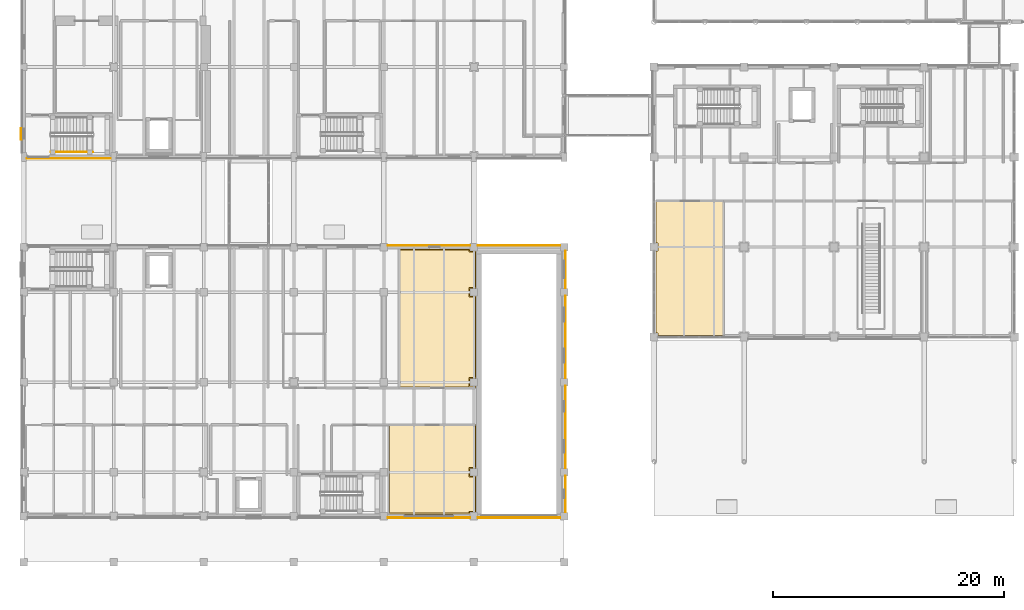
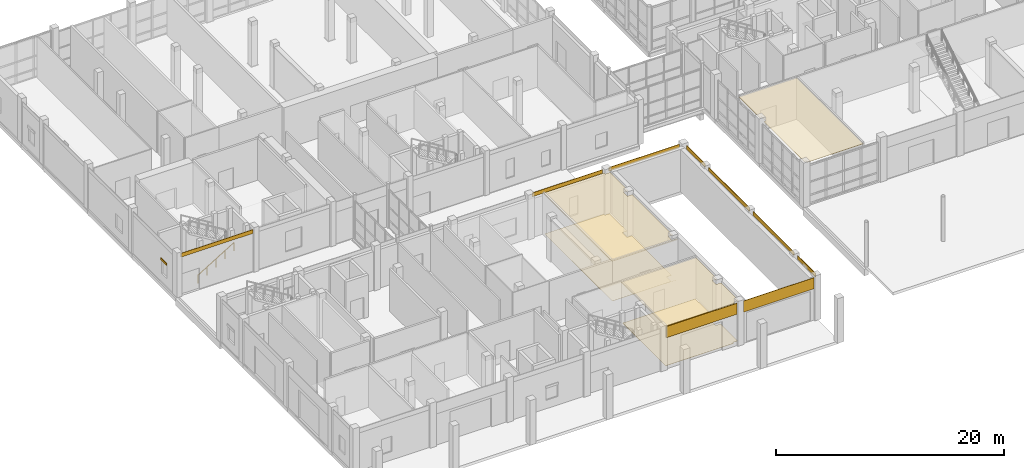
# One storey, part 112 of 131: 14 coverings, 1 railing, 1 shading device.
"""IFC4 building model written with IfcOpenShell, lengths in metres."""

from ifc_helpers import new_model, si_unit, direction, frame, origin, origin_2d, place, context, subcontext, project, spatial, polyline, rectangle, circle, outline, extrude, material, layer, layer_set, type_object, element, save


model = new_model("IFC4")

# Units and contexts
model_context = context("Model", 3, precision=1e-05, world=origin(), true_north=direction((0.0, 1.0)))
body_context = subcontext(model_context, "Body", "Model", "MODEL_VIEW")
ifc_project = project(units=[si_unit("LENGTHUNIT", "METRE"), si_unit("AREAUNIT", "SQUARE_METRE"), si_unit("VOLUMEUNIT", "CUBIC_METRE"), si_unit("PLANEANGLEUNIT", "RADIAN"), si_unit("MASSUNIT", "GRAM", prefix="KILO")], contexts=[model_context])

# Site, building, storey
site_placement = place(None, origin())
site = spatial("IfcSite", under=ifc_project, at=site_placement, CompositionType="ELEMENT")
building_placement = place(site_placement, origin())
building = spatial("IfcBuilding", under=site, at=building_placement, Name="Celorna Specialist Clinic", CompositionType="ELEMENT")
storey_placement = place(building_placement, origin())
storey = spatial("IfcBuildingStorey", under=building, at=storey_placement, Name="L00", CompositionType="ELEMENT", Elevation=0.0)

# Coverings
ifc_material_1 = material(Name="Hygienic acoustic mineral-fibre ceiling")
ifc_layer_1 = layer(ifc_material_1, 0.030029296875, Name="Hygienic acoustic mineral-fibre ceiling")
ifc_layer_set_1 = layer_set([ifc_layer_1], Name="Hygienic acoustic mineral-fibre ceiling")
covering_type_1 = type_object("IfcCoveringType", Name="CE-01", PredefinedType="CEILING", material=ifc_layer_set_1)
covering_1_placement = place(storey_placement, frame((0.0, 0.0, 4.330078125)))
element("IfcCovering", 1, at=covering_1_placement, inside=storey, type_object=covering_type_1, Name="Acoustic ceiling L00-095", PredefinedType="CEILING", context=body_context, shape_type="SweptSolid", body=[
    extrude(outline(polyline([(39.1650390625, 11.9150390625), (39.1650390625, 8.1298828125), (38.669921875, 8.1298828125), (38.669921875, 7.469970703125), (39.1650390625, 7.469970703125), (39.1650390625, 4.330078125), (38.669921875, 4.330078125), (38.669921875, 4.155029296875), (31.60498046875, 4.155029296875), (31.60498046875, 11.9150390625), (39.1650390625, 11.9150390625)])), origin(), (0.0, 0.0, 1.0), 0.030029296875),
])
covering_2_placement = place(storey_placement, frame((0.0, 0.0, 4.330078125)))
element("IfcCovering", 2, at=covering_2_placement, inside=storey, type_object=covering_type_1, Name="Acoustic ceiling L00-099", PredefinedType="CEILING", context=body_context, shape_type="SweptSolid", body=[
    extrude(outline(polyline([(38.669921875, 27.14501953125), (38.669921875, 26.969970703125), (39.1650390625, 26.969970703125), (39.1650390625, 23.72998046875), (38.669921875, 23.72998046875), (38.669921875, 23.070068359375), (39.1650390625, 23.070068359375), (39.1650390625, 15.929931640625), (38.669921875, 15.929931640625), (38.669921875, 15.27001953125), (39.1650390625, 15.27001953125), (39.1650390625, 15.0849609375), (32.5048828125, 15.0849609375), (32.5048828125, 27.14501953125), (38.669921875, 27.14501953125)])), origin(), (0.0, 0.0, 1.0), 0.030029296875),
])
covering_3_placement = place(storey_placement, frame((0.0, 0.0, 4.330078125)))
element("IfcCovering", 3, at=covering_3_placement, inside=storey, type_object=covering_type_1, Name="Acoustic ceiling L00-102", PredefinedType="CEILING", context=body_context, shape_type="SweptSolid", body=[
    extrude(outline(polyline([(54.7548828125, 31.31494140625), (60.635009765625, 31.31494140625), (60.635009765625, 19.655029296875), (54.955078125, 19.655029296875), (54.955078125, 19.85498046875), (54.7548828125, 19.85498046875), (54.7548828125, 26.945068359375), (54.955078125, 26.945068359375), (54.955078125, 27.655029296875), (54.7548828125, 27.655029296875), (54.7548828125, 31.31494140625)])), origin(), (0.0, 0.0, 1.0), 0.030029296875),
])
ifc_material_2 = material(Name="Pero Pinheiro Lioz limestone rainscreen cladding", Category="masonry")
ifc_layer_2 = layer(ifc_material_2, 0.044921875, Name="Pero Pinheiro Lioz limestone rainscreen cladding")
ifc_layer_set_2 = layer_set([ifc_layer_2], Name="Pero Pinheiro Lioz limestone rainscreen cladding")
covering_type_2 = type_object("IfcCoveringType", Name="CL-01", PredefinedType="CLADDING", material=ifc_layer_set_2)
covering_4_placement = place(storey_placement, frame((3.89990234375, 34.952392578125, 4.06005859375), z_axis=(0.0, 0.0, 1.0), x_axis=(-1.0, 0.0, 0.0)))
element("IfcCovering", 4, at=covering_4_placement, inside=storey, type_object=covering_type_2, Name="Lioz spandrel cladding #102", PredefinedType="CLADDING", context=body_context, shape_type="SweptSolid", body=[
    extrude(rectangle(XDim=7.300048828125, YDim=0.044921875, at=origin_2d()), origin(), (0.0, 0.0, 1.0), 0.39990234375),
])
for number, where, z_axis, x_axis, name in (
    (5, (35.10009765625, 3.8525390625, 3.35009765625), (0.0, 0.0, 1.0), (-1.0, 0.0, 0.0), "Lioz spandrel cladding #302"),
    (6, (42.89990234375, 3.8525390625, 3.35009765625), (0.0, 0.0, 1.0), (-1.0, 0.0, 0.0), "Lioz spandrel cladding #303"),
):
    element("IfcCovering", number, at=place(storey_placement, frame(where, z_axis=z_axis, x_axis=x_axis)), inside=storey, type_object=covering_type_2, Name=name, PredefinedType="CLADDING", context=body_context, shape_type="SweptSolid", body=[
        extrude(rectangle(XDim=7.14990234375, YDim=0.044921875, at=origin_2d()), origin(), (0.0, 0.0, 1.0), 1.18994140625),
    ])
for number, where, z_axis, x_axis, name in (
    (7, (35.10009765625, 27.447509765625, 4.14013671875), (0.0, 0.0, 1.0), (1.0, 0.0, 0.0), "Lioz spandrel cladding #310"),
    (8, (42.89990234375, 27.447509765625, 4.14013671875), (0.0, 0.0, 1.0), (1.0, 0.0, 0.0), "Lioz spandrel cladding #311"),
):
    element("IfcCovering", number, at=place(storey_placement, frame(where, z_axis=z_axis, x_axis=x_axis)), inside=storey, type_object=covering_type_2, Name=name, PredefinedType="CLADDING", context=body_context, shape_type="SweptSolid", body=[
        extrude(rectangle(XDim=7.14990234375, YDim=0.044921875, at=origin_2d()), origin(), (0.0, 0.0, 1.0), 0.39990234375),
    ])
covering_5_placement = place(storey_placement, frame((46.947509765625, 5.89990234375, 4.14013671875), z_axis=(0.0, 0.0, 1.0), x_axis=(0.0, -1.0, 0.0)))
element("IfcCovering", 9, at=covering_5_placement, inside=storey, type_object=covering_type_2, Name="Lioz spandrel cladding #316", PredefinedType="CLADDING", context=body_context, shape_type="SweptSolid", body=[
    extrude(rectangle(XDim=3.14990234375, YDim=0.044921875, at=origin_2d()), origin(), (0.0, 0.0, 1.0), 0.39990234375),
])
for number, where, z_axis, x_axis, name in (
    (10, (46.947509765625, 11.699951171875, 4.14013671875), (0.0, 0.0, 1.0), (0.0, -1.0, 0.0), "Lioz spandrel cladding #317"),
    (11, (46.947509765625, 19.5, 4.14013671875), (0.0, 0.0, 1.0), (0.0, -1.0, 0.0), "Lioz spandrel cladding #318"),
):
    element("IfcCovering", number, at=place(storey_placement, frame(where, z_axis=z_axis, x_axis=x_axis)), inside=storey, type_object=covering_type_2, Name=name, PredefinedType="CLADDING", context=body_context, shape_type="SweptSolid", body=[
        extrude(rectangle(XDim=7.14990234375, YDim=0.044921875, at=origin_2d()), origin(), (0.0, 0.0, 1.0), 0.39990234375),
    ])
covering_6_placement = place(storey_placement, frame((46.947509765625, 25.35009765625, 4.14013671875), z_axis=(0.0, 0.0, 1.0), x_axis=(0.0, -1.0, 0.0)))
element("IfcCovering", 12, at=covering_6_placement, inside=storey, type_object=covering_type_2, Name="Lioz spandrel cladding #319", PredefinedType="CLADDING", context=body_context, shape_type="SweptSolid", body=[
    extrude(rectangle(XDim=3.25, YDim=0.044921875, at=origin_2d()), origin(), (0.0, 0.0, 1.0), 0.39990234375),
])
ifc_material_3 = material(Name="Seamless antimicrobial clinical vinyl and Lioz terrazzo flooring")
ifc_layer_3 = layer(ifc_material_3, 0.02001953125, Name="Seamless antimicrobial clinical vinyl and Lioz terrazzo flooring")
ifc_layer_set_3 = layer_set([ifc_layer_3], Name="Seamless antimicrobial clinical vinyl and Lioz terrazzo flooring")
covering_type_3 = type_object("IfcCoveringType", Name="FL-01", PredefinedType="FLOORING", material=ifc_layer_set_3)
covering_7_placement = place(storey_placement, origin())
element("IfcCovering", 13, at=covering_7_placement, inside=storey, type_object=covering_type_3, Name="Antimicrobial clinical flooring L00-095", PredefinedType="FLOORING", context=body_context, shape_type="SweptSolid", body=[
    extrude(outline(polyline([(31.695068359375, 11.824951171875), (39.074951171875, 11.824951171875), (39.074951171875, 8.2099609375), (38.590087890625, 8.2099609375), (38.590087890625, 7.389892578125), (39.074951171875, 7.389892578125), (39.074951171875, 4.409912109375), (38.590087890625, 4.409912109375), (38.590087890625, 4.2451171875), (31.695068359375, 4.2451171875), (31.695068359375, 11.824951171875)])), origin(), (0.0, 0.0, 1.0), 0.02001953125),
])
covering_8_placement = place(storey_placement, origin())
element("IfcCovering", 14, at=covering_8_placement, inside=storey, type_object=covering_type_3, Name="Antimicrobial clinical flooring L00-099", PredefinedType="FLOORING", context=body_context, shape_type="SweptSolid", body=[
    extrude(outline(polyline([(32.594970703125, 27.054931640625), (38.590087890625, 27.054931640625), (38.590087890625, 26.889892578125), (39.074951171875, 26.889892578125), (39.074951171875, 23.81005859375), (38.590087890625, 23.81005859375), (38.590087890625, 22.989990234375), (39.074951171875, 22.989990234375), (39.074951171875, 16.010009765625), (38.590087890625, 16.010009765625), (38.590087890625, 15.18994140625), (39.074951171875, 15.18994140625), (39.074951171875, 15.175048828125), (32.594970703125, 15.175048828125), (32.594970703125, 27.054931640625)])), origin(), (0.0, 0.0, 1.0), 0.02001953125),
])

# Railing
ifc_material_4 = material(Name="Brushed stainless steel handrail", Category="steel")
railing_type = type_object("IfcRailingType", Name="HR-01", PredefinedType="HANDRAIL", material=ifc_material_4)
railing_placement = place(storey_placement, frame((2.340087890625, 35.530029296875, 0.17138671875)))
element("IfcRailing", 15, at=railing_placement, inside=storey, type_object=railing_type, Name="L00 ST-06 stair handrail 1", PredefinedType="HANDRAIL", context=body_context, shape_type="SweptSolid", body=[
    extrude(circle(Radius=0.02392578125, at=origin_2d()), frame((0.0, 0.0, 0.8759765625), z_axis=(0.852850264322, 0.0, 0.5221555579), x_axis=(0.0, 1.0, 0.0)), (0.0, 0.0, 1.0), 4.267822265625),
    extrude(circle(Radius=0.02099609375, at=origin_2d()), origin(), (0.0, 0.0, 1.0), 0.851806640625),
    extrude(circle(Radius=0.02099609375, at=origin_2d()), frame((0.909912109375, 0.0, 0.55712890625)), (0.0, 0.0, 1.0), 0.851806640625),
    extrude(circle(Radius=0.02099609375, at=origin_2d()), frame((1.81982421875, 0.0, 1.1142578125)), (0.0, 0.0, 1.0), 0.851806640625),
    extrude(circle(Radius=0.02099609375, at=origin_2d()), frame((2.72998046875, 0.0, 1.67138671875)), (0.0, 0.0, 1.0), 0.851806640625),
    extrude(circle(Radius=0.02099609375, at=origin_2d()), frame((3.639892578125, 0.0, 2.228515625)), (0.0, 0.0, 1.0), 0.851806640625),
])

# Shading device
ifc_material_5 = material(Name="Anodized aluminium solar louvre", Category="aluminium")
ifc_layer_4 = layer(ifc_material_5, 0.080078125, Name="Anodized aluminium solar louvre")
ifc_layer_set_4 = layer_set([ifc_layer_4], Name="Anodized aluminium solar louvre")
shading_device_type = type_object("IfcShadingDeviceType", Name="LV-01", PredefinedType="JALOUSIE", material=ifc_layer_set_4)
shading_device_placement = place(storey_placement, frame((-0.2099609375, 37.112548828125, 2.33984375), z_axis=(0.0, 0.0, 1.0), x_axis=(0.0, 1.0, 0.0)))
element("IfcShadingDevice", 16, at=shading_device_placement, inside=storey, type_object=shading_device_type, Name="External solar louvre LV-01 #24", PredefinedType="JALOUSIE", context=body_context, shape_type="SweptSolid", body=[
    extrude(rectangle(XDim=1.0, YDim=0.080078125, at=origin_2d()), origin(), (0.0, 0.0, 1.0), 0.219970703125),
])

save(model, "model.ifc")
